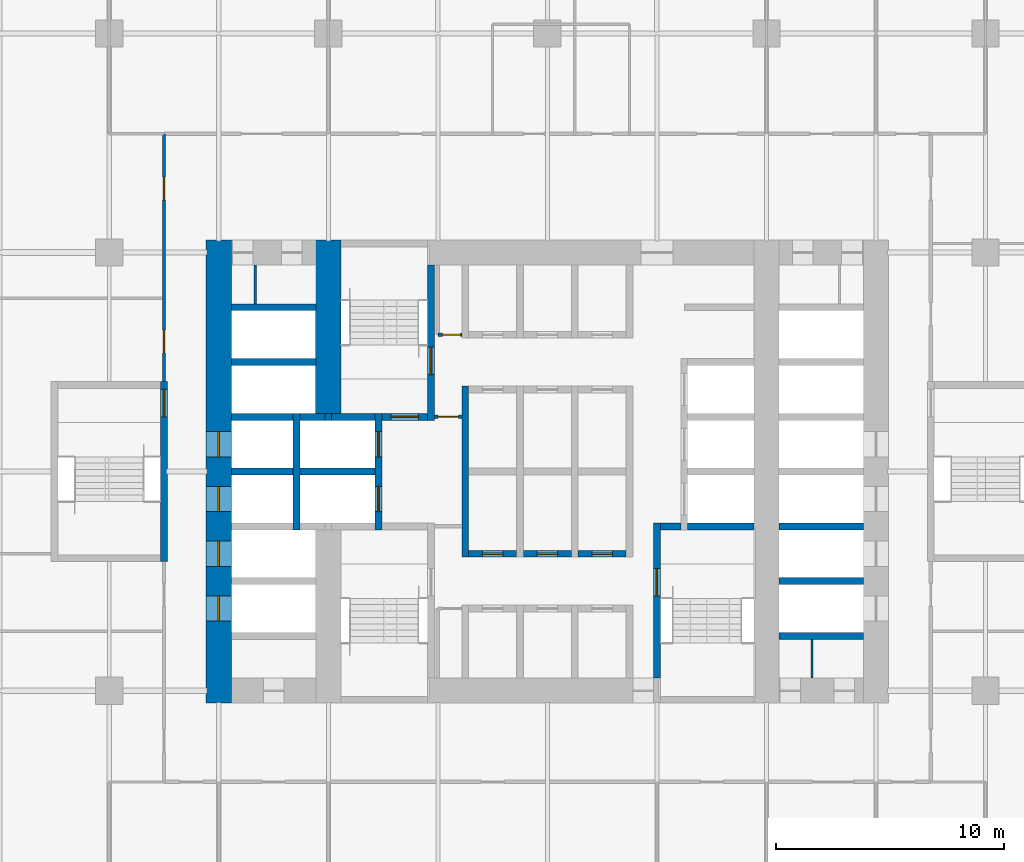
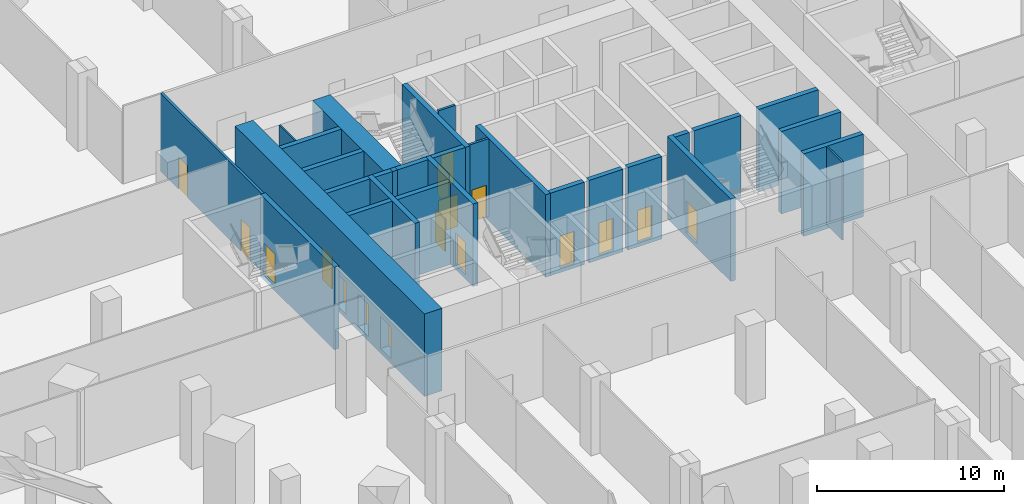
# One storey, part 19 of 34: 30 walls, 17 doors, 17 openings.
"""IFC4 building model written with IfcOpenShell, lengths in metres."""

from ifc_helpers import new_model, si_unit, direction, frame, frame_2d, origin, place, context, subcontext, project, spatial, rectangle, extrude, material, layer, layer_set, type_object, element, fill, save


model = new_model("IFC4")

# Units and contexts
model_context = context("Model", 3, precision=1e-05, world=origin(), true_north=direction((0.0, 1.0)))
body_context = subcontext(model_context, "Body", "Model", "MODEL_VIEW")
ifc_project = project(units=[si_unit("LENGTHUNIT", "METRE"), si_unit("AREAUNIT", "SQUARE_METRE"), si_unit("VOLUMEUNIT", "CUBIC_METRE"), si_unit("PLANEANGLEUNIT", "RADIAN"), si_unit("MASSUNIT", "GRAM", prefix="KILO")], contexts=[model_context])

# Site, building, storey
site_placement = place(None, origin())
site = spatial("IfcSite", under=ifc_project, at=site_placement, CompositionType="ELEMENT")
building_placement = place(site_placement, origin())
building = spatial("IfcBuilding", under=site, at=building_placement, Name="Kolab Exchange Tower", CompositionType="ELEMENT")
storey_placement = place(building_placement, frame((0.0, 0.0, 7.0)))
storey = spatial("IfcBuildingStorey", under=building, at=storey_placement, Name="L01", CompositionType="ELEMENT", Elevation=7.0)

# Wall, openings, doors
ifc_material_1 = material(Name="Concrete C80/95", Category="concrete")
ifc_layer_1 = layer(ifc_material_1, 1.10009765625)
ifc_layer_set_1 = layer_set([ifc_layer_1], Name="Concrete C80/95")
wall_type_1 = type_object("IfcWallType", Name="CORE WALL 1100 C80/95", PredefinedType="SHEAR", material=ifc_layer_set_1)
wall_1_placement = place(storey_placement, frame((-14.39990234375, -10.14990234375, -0.300048828125), z_axis=(0.0, 0.0, 1.0), x_axis=(0.0, 1.0, 0.0)))
wall_1 = element("IfcWall", 1, at=wall_1_placement, inside=storey, type_object=wall_type_1, Name="wall/L01/core/057", PredefinedType="SHEAR", context=body_context, shape_type="SweptSolid", body=[
    extrude(rectangle(XDim=20.2998046875, YDim=1.10009765625, at=frame_2d((10.14990234375, 0.0))), origin(), (0.0, 0.0, 1.0), 5.400146484375),
])
opening_1_placement = place(wall_1_placement, frame((3.60009765625, 0.0, 0.300048828125)))
opening_1 = element("IfcOpeningElement", 2, at=opening_1_placement, cuts=wall_1, Name="Opening LD1-017", PredefinedType="OPENING", context=body_context, shape_type="SweptSolid", body=[
    extrude(rectangle(XDim=1.10009765625, YDim=2.10009765625, at=frame_2d((0.550048828125, 1.050048828125))), frame((0.0, 0.56005859375, 0.0), z_axis=(0.0, -1.0, 0.0), x_axis=(1.0, 0.0, 0.0)), (0.0, 0.0, 1.0), 1.1201171875),
])
opening_2_placement = place(wall_1_placement, frame((6.0, 0.0, 0.300048828125)))
opening_2 = element("IfcOpeningElement", 3, at=opening_2_placement, cuts=wall_1, Name="Opening LD1-018", PredefinedType="OPENING", context=body_context, shape_type="SweptSolid", body=[
    extrude(rectangle(XDim=1.10009765625, YDim=2.10009765625, at=frame_2d((0.550048828125, 1.050048828125))), frame((0.0, 0.56005859375, 0.0), z_axis=(0.0, -1.0, 0.0), x_axis=(1.0, 0.0, 0.0)), (0.0, 0.0, 1.0), 1.1201171875),
])
opening_3_placement = place(wall_1_placement, frame((8.39990234375, 0.0, 0.300048828125)))
opening_3 = element("IfcOpeningElement", 4, at=opening_3_placement, cuts=wall_1, Name="Opening LD1-019", PredefinedType="OPENING", context=body_context, shape_type="SweptSolid", body=[
    extrude(rectangle(XDim=1.10009765625, YDim=2.10009765625, at=frame_2d((0.550048828125, 1.050048828125))), frame((0.0, 0.56005859375, 0.0), z_axis=(0.0, -1.0, 0.0), x_axis=(1.0, 0.0, 0.0)), (0.0, 0.0, 1.0), 1.1201171875),
])
opening_4_placement = place(wall_1_placement, frame((10.800048828125, 0.0, 0.300048828125)))
opening_4 = element("IfcOpeningElement", 5, at=opening_4_placement, cuts=wall_1, Name="Opening LD1-020", PredefinedType="OPENING", context=body_context, shape_type="SweptSolid", body=[
    extrude(rectangle(XDim=1.10009765625, YDim=2.10009765625, at=frame_2d((0.550048828125, 1.050048828125))), frame((0.0, 0.56005859375, 0.0), z_axis=(0.0, -1.0, 0.0), x_axis=(1.0, 0.0, 0.0)), (0.0, 0.0, 1.0), 1.1201171875),
])
ifc_material_2 = material(Name="Stainless steel 316", Category="steel")
door_type_1 = type_object("IfcDoorType", Name="LANDING DOOR 1100 PASSENGER", OperationType="DOUBLE_DOOR_SLIDING", PredefinedType="DOOR", material=ifc_material_2)
door_1_placement = place(opening_1_placement, origin())
door_1 = element("IfcDoor", 6, at=door_1_placement, inside=storey, type_object=door_type_1, Name="Landing door LR5", OperationType="DOUBLE_DOOR_SLIDING", OverallHeight=2.10009765625, OverallWidth=1.10009765625, PredefinedType="DOOR", context=body_context, shape_type="SweptSolid", body=[
    extrude(rectangle(XDim=1.10009765625, YDim=2.10009765625, at=frame_2d((0.550048828125, 1.050048828125))), frame((0.0, 0.02490234375, 0.0), z_axis=(0.0, -1.0, 0.0), x_axis=(1.0, 0.0, 0.0)), (0.0, 0.0, 1.0), 0.050048828125),
])
fill(opening_1, door_1)
door_2_placement = place(opening_2_placement, origin())
door_2 = element("IfcDoor", 7, at=door_2_placement, inside=storey, type_object=door_type_1, Name="Landing door LR6", OperationType="DOUBLE_DOOR_SLIDING", OverallHeight=2.10009765625, OverallWidth=1.10009765625, PredefinedType="DOOR", context=body_context, shape_type="SweptSolid", body=[
    extrude(rectangle(XDim=1.10009765625, YDim=2.10009765625, at=frame_2d((0.550048828125, 1.050048828125))), frame((0.0, 0.02490234375, 0.0), z_axis=(0.0, -1.0, 0.0), x_axis=(1.0, 0.0, 0.0)), (0.0, 0.0, 1.0), 0.050048828125),
])
fill(opening_2, door_2)
door_3_placement = place(opening_3_placement, origin())
door_3 = element("IfcDoor", 8, at=door_3_placement, inside=storey, type_object=door_type_1, Name="Landing door LR7", OperationType="DOUBLE_DOOR_SLIDING", OverallHeight=2.10009765625, OverallWidth=1.10009765625, PredefinedType="DOOR", context=body_context, shape_type="SweptSolid", body=[
    extrude(rectangle(XDim=1.10009765625, YDim=2.10009765625, at=frame_2d((0.550048828125, 1.050048828125))), frame((0.0, 0.02490234375, 0.0), z_axis=(0.0, -1.0, 0.0), x_axis=(1.0, 0.0, 0.0)), (0.0, 0.0, 1.0), 0.050048828125),
])
fill(opening_3, door_3)
door_4_placement = place(opening_4_placement, origin())
door_4 = element("IfcDoor", 9, at=door_4_placement, inside=storey, type_object=door_type_1, Name="Landing door LR8", OperationType="DOUBLE_DOOR_SLIDING", OverallHeight=2.10009765625, OverallWidth=1.10009765625, PredefinedType="DOOR", context=body_context, shape_type="SweptSolid", body=[
    extrude(rectangle(XDim=1.10009765625, YDim=2.10009765625, at=frame_2d((0.550048828125, 1.050048828125))), frame((0.0, 0.02490234375, 0.0), z_axis=(0.0, -1.0, 0.0), x_axis=(1.0, 0.0, 0.0)), (0.0, 0.0, 1.0), 0.050048828125),
])
fill(opening_4, door_4)

# Walls
wall_2_placement = place(storey_placement, frame((-9.60009765625, 2.550048828125, -0.300048828125), z_axis=(0.0, 0.0, 1.0), x_axis=(0.0, 1.0, 0.0)))
element("IfcWall", 10, at=wall_2_placement, inside=storey, type_object=wall_type_1, Name="wall/L01/core/062", PredefinedType="SHEAR", context=body_context, shape_type="SweptSolid", body=[
    extrude(rectangle(XDim=7.599853515625, YDim=1.10009765625, at=frame_2d((3.7998046875, 0.0))), origin(), (0.0, 0.0, 1.0), 5.400146484375),
])
ifc_material_3 = material(Name="Concrete C50/60", Category="concrete")
ifc_layer_2 = layer(ifc_material_3, 0.300048828125)
ifc_layer_set_2 = layer_set([ifc_layer_2], Name="Concrete C50/60")
wall_type_2 = type_object("IfcWallType", Name="LIFT SHAFT WALL 300 C50/60", PredefinedType="STANDARD", material=ifc_layer_set_2)
for number, where, z_axis, x_axis, name in (
    (11, (10.14990234375, -7.199951171875, -0.300048828125), (0.0, 0.0, 1.0), (1.0, 0.0, 0.0), "wall/L01/core/006"),
    (12, (10.14990234375, -4.800048828125, -0.300048828125), (0.0, 0.0, 1.0), (1.0, 0.0, 0.0), "wall/L01/core/011"),
):
    element("IfcWall", number, at=place(storey_placement, frame(where, z_axis=z_axis, x_axis=x_axis)), inside=storey, type_object=wall_type_2, Name=name, PredefinedType="STANDARD", context=body_context, shape_type="SweptSolid", body=[
        extrude(rectangle(XDim=3.7001953125, YDim=0.300048828125, at=frame_2d((1.85009765625, 0.0))), origin(), (0.0, 0.0, 1.0), 5.400146484375),
    ])

# Wall, opening, door
wall_3_placement = place(storey_placement, frame((-3.449951171875, -3.60009765625, -0.300048828125), z_axis=(0.0, 0.0, 1.0), x_axis=(1.0, 0.0, 0.0)))
wall_3 = element("IfcWall", 13, at=wall_3_placement, inside=storey, type_object=wall_type_2, Name="wall/L01/core/014", PredefinedType="STANDARD", context=body_context, shape_type="SweptSolid", body=[
    extrude(rectangle(XDim=2.099853515625, YDim=0.300048828125, at=frame_2d((1.0498046875, 0.0))), origin(), (0.0, 0.0, 1.0), 5.400146484375),
])
opening_5_placement = place(wall_3_placement, frame((0.60009765625, 0.0, 0.300048828125)))
opening_5 = element("IfcOpeningElement", 14, at=opening_5_placement, cuts=wall_3, Name="Opening D6-030", PredefinedType="OPENING", context=body_context, shape_type="SweptSolid", body=[
    extrude(rectangle(XDim=0.89990234375, YDim=2.10009765625, at=frame_2d((0.449951171875, 1.050048828125))), frame((0.0, 0.16015625, 0.0), z_axis=(0.0, -1.0, 0.0), x_axis=(1.0, 0.0, 0.0)), (0.0, 0.0, 1.0), 0.320068359375),
])
ifc_material_4 = material(Name="Steel S235", Category="steel")
door_type_2 = type_object("IfcDoorType", Name="CORE DOOR 900 EI 120", OperationType="SINGLE_SWING_LEFT", PredefinedType="DOOR", material=ifc_material_4)
door_5_placement = place(opening_5_placement, origin())
door_5 = element("IfcDoor", 15, at=door_5_placement, inside=storey, type_object=door_type_2, Name="Service room door", OperationType="SINGLE_SWING_LEFT", OverallHeight=2.10009765625, OverallWidth=0.89990234375, PredefinedType="DOOR", context=body_context, shape_type="SweptSolid", body=[
    extrude(rectangle(XDim=0.89990234375, YDim=2.10009765625, at=frame_2d((0.449951171875, 1.050048828125))), frame((0.0, 0.02490234375, 0.0), z_axis=(0.0, -1.0, 0.0), x_axis=(1.0, 0.0, 0.0)), (0.0, 0.0, 1.0), 0.050048828125),
])
fill(opening_5, door_5)

wall_4_placement = place(storey_placement, frame((-1.050048828125, -3.60009765625, -0.300048828125), z_axis=(0.0, 0.0, 1.0), x_axis=(1.0, 0.0, 0.0)))
wall_4 = element("IfcWall", 16, at=wall_4_placement, inside=storey, type_object=wall_type_2, Name="wall/L01/core/015", PredefinedType="STANDARD", context=body_context, shape_type="SweptSolid", body=[
    extrude(rectangle(XDim=2.10009765625, YDim=0.300048828125, at=frame_2d((1.050048828125, 0.0))), origin(), (0.0, 0.0, 1.0), 5.400146484375),
])
opening_6_placement = place(wall_4_placement, frame((0.60009765625, 0.0, 0.300048828125)))
opening_6 = element("IfcOpeningElement", 17, at=opening_6_placement, cuts=wall_4, Name="Opening D6-029", PredefinedType="OPENING", context=body_context, shape_type="SweptSolid", body=[
    extrude(rectangle(XDim=0.89990234375, YDim=2.10009765625, at=frame_2d((0.449951171875, 1.050048828125))), frame((0.0, 0.16015625, 0.0), z_axis=(0.0, -1.0, 0.0), x_axis=(1.0, 0.0, 0.0)), (0.0, 0.0, 1.0), 0.320068359375),
])
door_6_placement = place(opening_6_placement, origin())
door_6 = element("IfcDoor", 18, at=door_6_placement, inside=storey, type_object=door_type_2, Name="Service room door", OperationType="SINGLE_SWING_LEFT", OverallHeight=2.10009765625, OverallWidth=0.89990234375, PredefinedType="DOOR", context=body_context, shape_type="SweptSolid", body=[
    extrude(rectangle(XDim=0.89990234375, YDim=2.10009765625, at=frame_2d((0.449951171875, 1.050048828125))), frame((0.0, 0.02490234375, 0.0), z_axis=(0.0, -1.0, 0.0), x_axis=(1.0, 0.0, 0.0)), (0.0, 0.0, 1.0), 0.050048828125),
])
fill(opening_6, door_6)

wall_5_placement = place(storey_placement, frame((1.35009765625, -3.60009765625, -0.300048828125), z_axis=(0.0, 0.0, 1.0), x_axis=(1.0, 0.0, 0.0)))
wall_5 = element("IfcWall", 19, at=wall_5_placement, inside=storey, type_object=wall_type_2, Name="wall/L01/core/016", PredefinedType="STANDARD", context=body_context, shape_type="SweptSolid", body=[
    extrude(rectangle(XDim=2.099853515625, YDim=0.300048828125, at=frame_2d((1.0498046875, 0.0))), origin(), (0.0, 0.0, 1.0), 5.400146484375),
])
opening_7_placement = place(wall_5_placement, frame((0.60009765625, 0.0, 0.300048828125)))
opening_7 = element("IfcOpeningElement", 20, at=opening_7_placement, cuts=wall_5, Name="Opening D6-028", PredefinedType="OPENING", context=body_context, shape_type="SweptSolid", body=[
    extrude(rectangle(XDim=0.89990234375, YDim=2.10009765625, at=frame_2d((0.449951171875, 1.050048828125))), frame((0.0, 0.16015625, 0.0), z_axis=(0.0, -1.0, 0.0), x_axis=(1.0, 0.0, 0.0)), (0.0, 0.0, 1.0), 0.320068359375),
])
door_7_placement = place(opening_7_placement, origin())
door_7 = element("IfcDoor", 21, at=door_7_placement, inside=storey, type_object=door_type_2, Name="Service room door", OperationType="SINGLE_SWING_RIGHT", OverallHeight=2.10009765625, OverallWidth=0.89990234375, PredefinedType="DOOR", context=body_context, shape_type="SweptSolid", body=[
    extrude(rectangle(XDim=0.89990234375, YDim=2.10009765625, at=frame_2d((0.449951171875, 1.050048828125))), frame((0.0, 0.02490234375, 0.0), z_axis=(0.0, -1.0, 0.0), x_axis=(1.0, 0.0, 0.0)), (0.0, 0.0, 1.0), 0.050048828125),
])
fill(opening_7, door_7)

# Walls
wall_6_placement = place(storey_placement, frame((10.14990234375, -2.39990234375, -0.300048828125), z_axis=(0.0, 0.0, 1.0), x_axis=(1.0, 0.0, 0.0)))
element("IfcWall", 22, at=wall_6_placement, inside=storey, type_object=wall_type_2, Name="wall/L01/core/023", PredefinedType="STANDARD", context=body_context, shape_type="SweptSolid", body=[
    extrude(rectangle(XDim=3.7001953125, YDim=0.300048828125, at=frame_2d((1.85009765625, 0.0))), origin(), (0.0, 0.0, 1.0), 5.400146484375),
])
wall_7_placement = place(storey_placement, frame((-13.85009765625, 0.0, -0.300048828125), z_axis=(0.0, 0.0, 1.0), x_axis=(1.0, 0.0, 0.0)))
element("IfcWall", 23, at=wall_7_placement, inside=storey, type_object=wall_type_2, Name="wall/L01/core/024", PredefinedType="STANDARD", context=body_context, shape_type="SweptSolid", body=[
    extrude(rectangle(XDim=2.7001953125, YDim=0.300048828125, at=frame_2d((1.35009765625, 0.0))), origin(), (0.0, 0.0, 1.0), 5.400146484375),
])
wall_8_placement = place(storey_placement, frame((-10.85009765625, 0.0, -0.300048828125), z_axis=(0.0, 0.0, 1.0), x_axis=(1.0, 0.0, 0.0)))
element("IfcWall", 24, at=wall_8_placement, inside=storey, type_object=wall_type_2, Name="wall/L01/core/025", PredefinedType="STANDARD", context=body_context, shape_type="SweptSolid", body=[
    extrude(rectangle(XDim=3.300048828125, YDim=0.300048828125, at=frame_2d((1.64990234375, 0.0))), origin(), (0.0, 0.0, 1.0), 5.400146484375),
])
wall_9_placement = place(storey_placement, frame((-13.85009765625, 2.39990234375, -0.300048828125), z_axis=(0.0, 0.0, 1.0), x_axis=(1.0, 0.0, 0.0)))
element("IfcWall", 25, at=wall_9_placement, inside=storey, type_object=wall_type_2, Name="wall/L01/core/031", PredefinedType="STANDARD", context=body_context, shape_type="SweptSolid", body=[
    extrude(rectangle(XDim=2.7001953125, YDim=0.300048828125, at=frame_2d((1.35009765625, 0.0))), origin(), (0.0, 0.0, 1.0), 5.400146484375),
])
wall_10_placement = place(storey_placement, frame((-10.85009765625, 2.39990234375, -0.300048828125), z_axis=(0.0, 0.0, 1.0), x_axis=(1.0, 0.0, 0.0)))
element("IfcWall", 26, at=wall_10_placement, inside=storey, type_object=wall_type_2, Name="wall/L01/core/032", PredefinedType="STANDARD", context=body_context, shape_type="SweptSolid", body=[
    extrude(rectangle(XDim=1.10009765625, YDim=0.300048828125, at=frame_2d((0.550048828125, 0.0))), origin(), (0.0, 0.0, 1.0), 5.400146484375),
])
for number, where, z_axis, x_axis, name in (
    (27, (-13.85009765625, 4.800048828125, -0.300048828125), (0.0, 0.0, 1.0), (1.0, 0.0, 0.0), "wall/L01/core/042"),
    (28, (-13.85009765625, 7.199951171875, -0.300048828125), (0.0, 0.0, 1.0), (1.0, 0.0, 0.0), "wall/L01/core/048"),
):
    element("IfcWall", number, at=place(storey_placement, frame(where, z_axis=z_axis, x_axis=x_axis)), inside=storey, type_object=wall_type_2, Name=name, PredefinedType="STANDARD", context=body_context, shape_type="SweptSolid", body=[
        extrude(rectangle(XDim=3.7001953125, YDim=0.300048828125, at=frame_2d((1.85009765625, 0.0))), origin(), (0.0, 0.0, 1.0), 5.400146484375),
    ])
wall_11_placement = place(storey_placement, frame((-11.0, -2.550048828125, -0.300048828125), z_axis=(0.0, 0.0, 1.0), x_axis=(0.0, 1.0, 0.0)))
element("IfcWall", 29, at=wall_11_placement, inside=storey, type_object=wall_type_2, Name="wall/L01/core/058", PredefinedType="STANDARD", context=body_context, shape_type="SweptSolid", body=[
    extrude(rectangle(XDim=5.10009765625, YDim=0.300048828125, at=frame_2d((2.550048828125, 0.0))), origin(), (0.0, 0.0, 1.0), 5.400146484375),
])

# Wall, openings, doors
wall_12_placement = place(storey_placement, frame((-7.39990234375, -2.550048828125, -0.300048828125), z_axis=(0.0, 0.0, 1.0), x_axis=(0.0, 1.0, 0.0)))
wall_12 = element("IfcWall", 30, at=wall_12_placement, inside=storey, type_object=wall_type_2, Name="wall/L01/core/063", PredefinedType="STANDARD", context=body_context, shape_type="SweptSolid", body=[
    extrude(rectangle(XDim=5.10009765625, YDim=0.300048828125, at=frame_2d((2.550048828125, 0.0))), origin(), (0.0, 0.0, 1.0), 5.400146484375),
])
opening_8_placement = place(wall_12_placement, frame((0.800048828125, 0.0, 0.300048828125)))
opening_8 = element("IfcOpeningElement", 31, at=opening_8_placement, cuts=wall_12, Name="Opening LD2-003", PredefinedType="OPENING", context=body_context, shape_type="SweptSolid", body=[
    extrude(rectangle(XDim=1.10009765625, YDim=2.10009765625, at=frame_2d((0.550048828125, 1.050048828125))), frame((0.0, 0.16015625, 0.0), z_axis=(0.0, -1.0, 0.0), x_axis=(1.0, 0.0, 0.0)), (0.0, 0.0, 1.0), 0.320068359375),
])
opening_9_placement = place(wall_12_placement, frame((3.199951171875, 0.0, 0.300048828125)))
opening_9 = element("IfcOpeningElement", 32, at=opening_9_placement, cuts=wall_12, Name="Opening LD2-004", PredefinedType="OPENING", context=body_context, shape_type="SweptSolid", body=[
    extrude(rectangle(XDim=1.10009765625, YDim=2.10009765625, at=frame_2d((0.550048828125, 1.050048828125))), frame((0.0, 0.16015625, 0.0), z_axis=(0.0, -1.0, 0.0), x_axis=(1.0, 0.0, 0.0)), (0.0, 0.0, 1.0), 0.320068359375),
])
door_type_3 = type_object("IfcDoorType", Name="LANDING DOOR 1100 FIREFIGHTING", OperationType="DOUBLE_DOOR_SLIDING", PredefinedType="DOOR", material=ifc_material_2)
door_8_placement = place(opening_8_placement, origin())
door_8 = element("IfcDoor", 33, at=door_8_placement, inside=storey, type_object=door_type_3, Name="Landing door FF1", OperationType="DOUBLE_DOOR_SLIDING", OverallHeight=2.10009765625, OverallWidth=1.10009765625, PredefinedType="DOOR", context=body_context, shape_type="SweptSolid", body=[
    extrude(rectangle(XDim=1.10009765625, YDim=2.10009765625, at=frame_2d((0.550048828125, 1.050048828125))), frame((0.0, 0.02490234375, 0.0), z_axis=(0.0, -1.0, 0.0), x_axis=(1.0, 0.0, 0.0)), (0.0, 0.0, 1.0), 0.050048828125),
])
fill(opening_8, door_8)
door_9_placement = place(opening_9_placement, origin())
door_9 = element("IfcDoor", 34, at=door_9_placement, inside=storey, type_object=door_type_3, Name="Landing door FF2", OperationType="DOUBLE_DOOR_SLIDING", OverallHeight=2.10009765625, OverallWidth=1.10009765625, PredefinedType="DOOR", context=body_context, shape_type="SweptSolid", body=[
    extrude(rectangle(XDim=1.10009765625, YDim=2.10009765625, at=frame_2d((0.550048828125, 1.050048828125))), frame((0.0, 0.02490234375, 0.0), z_axis=(0.0, -1.0, 0.0), x_axis=(1.0, 0.0, 0.0)), (0.0, 0.0, 1.0), 0.050048828125),
])
fill(opening_9, door_9)

# Walls
wall_13_placement = place(storey_placement, frame((-3.60009765625, -3.75, -0.300048828125), z_axis=(0.0, 0.0, 1.0), x_axis=(0.0, 1.0, 0.0)))
element("IfcWall", 35, at=wall_13_placement, inside=storey, type_object=wall_type_2, Name="wall/L01/core/067", PredefinedType="STANDARD", context=body_context, shape_type="SweptSolid", body=[
    extrude(rectangle(XDim=7.5, YDim=0.300048828125, at=frame_2d((3.75, 0.0))), origin(), (0.0, 0.0, 1.0), 5.400146484375),
])
ifc_material_5 = material(Name="Gypsum board", Category="gypsum")
ifc_layer_3 = layer(ifc_material_5, 0.10009765625)
ifc_layer_set_3 = layer_set([ifc_layer_3], Name="Gypsum board")
wall_type_3 = type_object("IfcWallType", Name="PARTITION 100", PredefinedType="PARTITIONING", material=ifc_layer_set_3)
for number, where, z_axis, x_axis, name in (
    (36, (11.60009765625, -9.050048828125, 0.0), (0.0, 0.0, 1.0), (0.0, 1.0, 0.0), "Partition 007"),
    (37, (-12.800048828125, 7.35009765625, 0.0), (0.0, 0.0, 1.0), (0.0, 1.0, 0.0), "Partition 018"),
):
    element("IfcWall", number, at=place(storey_placement, frame(where, z_axis=z_axis, x_axis=x_axis)), inside=storey, type_object=wall_type_3, Name=name, PredefinedType="PARTITIONING", context=body_context, shape_type="SweptSolid", body=[
        extrude(rectangle(XDim=1.699951171875, YDim=0.10009765625, at=frame_2d((0.85009765625, 0.0))), origin(), (0.0, 0.0, 1.0), 5.10009765625),
    ])

# Wall, openings, doors
ifc_layer_4 = layer(ifc_material_5, 0.14990234375)
ifc_layer_set_4 = layer_set([ifc_layer_4], Name="Gypsum board")
wall_type_4 = type_object("IfcWallType", Name="PARTITION 150 FIRE-RATED", PredefinedType="PARTITIONING", material=ifc_layer_set_4)
wall_14_placement = place(storey_placement, frame((-16.800048828125, 3.949951171875, 0.0), z_axis=(0.0, 0.0, 1.0), x_axis=(0.0, 1.0, 0.0)))
wall_14 = element("IfcWall", 38, at=wall_14_placement, inside=storey, type_object=wall_type_4, Name="Partition 021", PredefinedType="PARTITIONING", context=body_context, shape_type="SweptSolid", body=[
    extrude(rectangle(XDim=10.85009765625, YDim=0.14990234375, at=frame_2d((5.425048828125, 0.0))), origin(), (0.0, 0.0, 1.0), 5.10009765625),
])
opening_10_placement = place(wall_14_placement, frame((1.25, 0.0, 0.0)))
opening_10 = element("IfcOpeningElement", 39, at=opening_10_placement, cuts=wall_14, Name="Opening D1-027", PredefinedType="OPENING", context=body_context, shape_type="SweptSolid", body=[
    extrude(rectangle(XDim=1.0, YDim=2.10009765625, at=frame_2d((0.5, 1.050048828125))), frame((0.0, 0.0849609375, 0.0), z_axis=(0.0, -1.0, 0.0), x_axis=(1.0, 0.0, 0.0)), (0.0, 0.0, 1.0), 0.169921875),
])
opening_11_placement = place(wall_14_placement, frame((7.949951171875, 0.0, 0.0)))
opening_11 = element("IfcOpeningElement", 40, at=opening_11_placement, cuts=wall_14, Name="Opening D1-028", PredefinedType="OPENING", context=body_context, shape_type="SweptSolid", body=[
    extrude(rectangle(XDim=1.0, YDim=2.10009765625, at=frame_2d((0.5, 1.050048828125))), frame((0.0, 0.0849609375, 0.0), z_axis=(0.0, -1.0, 0.0), x_axis=(1.0, 0.0, 0.0)), (0.0, 0.0, 1.0), 0.169921875),
])
door_type_4 = type_object("IfcDoorType", Name="FLUSH DOOR 1000 FD60", OperationType="SINGLE_SWING_LEFT", PredefinedType="DOOR", material=ifc_material_4)
door_10_placement = place(opening_10_placement, origin())
door_10 = element("IfcDoor", 41, at=door_10_placement, inside=storey, type_object=door_type_4, Name="Door L01-067", OperationType="SINGLE_SWING_RIGHT", OverallHeight=2.10009765625, OverallWidth=1.0, PredefinedType="DOOR", context=body_context, shape_type="SweptSolid", body=[
    extrude(rectangle(XDim=1.0, YDim=2.10009765625, at=frame_2d((0.5, 1.050048828125))), frame((0.0, 0.02490234375, 0.0), z_axis=(0.0, -1.0, 0.0), x_axis=(1.0, 0.0, 0.0)), (0.0, 0.0, 1.0), 0.050048828125),
])
fill(opening_10, door_10)
door_11_placement = place(opening_11_placement, origin())
door_11 = element("IfcDoor", 42, at=door_11_placement, inside=storey, type_object=door_type_4, Name="Door L01-068", OperationType="SINGLE_SWING_RIGHT", OverallHeight=2.10009765625, OverallWidth=1.0, PredefinedType="DOOR", context=body_context, shape_type="SweptSolid", body=[
    extrude(rectangle(XDim=1.0, YDim=2.10009765625, at=frame_2d((0.5, 1.050048828125))), frame((0.0, 0.02490234375, 0.0), z_axis=(0.0, -1.0, 0.0), x_axis=(1.0, 0.0, 0.0)), (0.0, 0.0, 1.0), 0.050048828125),
])
fill(opening_11, door_11)

# Wall, opening, door
wall_15_placement = place(storey_placement, frame((-4.800048828125, 6.0, 0.0), z_axis=(0.0, 0.0, 1.0), x_axis=(1.0, 0.0, 0.0)))
wall_15 = element("IfcWall", 43, at=wall_15_placement, inside=storey, type_object=wall_type_4, Name="Partition 033", PredefinedType="PARTITIONING", context=body_context, shape_type="SweptSolid", body=[
    extrude(rectangle(XDim=1.050048828125, YDim=0.14990234375, at=frame_2d((0.52490234375, 0.0))), origin(), (0.0, 0.0, 1.0), 5.10009765625),
])
opening_12_placement = place(wall_15_placement, frame((0.199951171875, 0.0, 0.0)))
opening_12 = element("IfcOpeningElement", 44, at=opening_12_placement, cuts=wall_15, Name="Opening D7-003", PredefinedType="OPENING", context=body_context, shape_type="SweptSolid", body=[
    extrude(rectangle(XDim=0.800048828125, YDim=2.10009765625, at=frame_2d((0.39990234375, 1.050048828125))), frame((0.0, 0.0849609375, 0.0), z_axis=(0.0, -1.0, 0.0), x_axis=(1.0, 0.0, 0.0)), (0.0, 0.0, 1.0), 0.169921875),
])
door_type_5 = type_object("IfcDoorType", Name="FLUSH DOOR 800 FD60", OperationType="SINGLE_SWING_LEFT", PredefinedType="DOOR", material=ifc_material_4)
door_12_placement = place(opening_12_placement, origin())
door_12 = element("IfcDoor", 45, at=door_12_placement, inside=storey, type_object=door_type_5, Name="Door L01-040", OperationType="SINGLE_SWING_RIGHT", OverallHeight=2.10009765625, OverallWidth=0.800048828125, PredefinedType="DOOR", context=body_context, shape_type="SweptSolid", body=[
    extrude(rectangle(XDim=0.800048828125, YDim=2.10009765625, at=frame_2d((0.39990234375, 1.050048828125))), frame((0.0, 0.02490234375, 0.0), z_axis=(0.0, -1.0, 0.0), x_axis=(1.0, 0.0, 0.0)), (0.0, 0.0, 1.0), 0.050048828125),
])
fill(opening_12, door_12)

wall_16_placement = place(storey_placement, frame((-4.949951171875, 2.39990234375, 0.0), z_axis=(0.0, 0.0, 1.0), x_axis=(1.0, 0.0, 0.0)))
wall_16 = element("IfcWall", 46, at=wall_16_placement, inside=storey, type_object=wall_type_4, Name="Fire partition", PredefinedType="PARTITIONING", context=body_context, shape_type="SweptSolid", body=[
    extrude(rectangle(XDim=1.199951171875, YDim=0.14990234375, at=frame_2d((0.60009765625, 0.0))), origin(), (0.0, 0.0, 1.0), 5.10009765625),
])
opening_13_placement = place(wall_16_placement, frame((0.14990234375, 0.0, 0.0)))
opening_13 = element("IfcOpeningElement", 47, at=opening_13_placement, cuts=wall_16, Name="Opening D6-035", PredefinedType="OPENING", context=body_context, shape_type="SweptSolid", body=[
    extrude(rectangle(XDim=0.89990234375, YDim=2.10009765625, at=frame_2d((0.449951171875, 1.050048828125))), frame((0.0, 0.0849609375, 0.0), z_axis=(0.0, -1.0, 0.0), x_axis=(1.0, 0.0, 0.0)), (0.0, 0.0, 1.0), 0.169921875),
])
door_13_placement = place(opening_13_placement, frame((0.89990234375, 0.0, 0.0), z_axis=(0.0, 0.0, 1.0), x_axis=(-1.0, 0.0, 0.0)))
door_13 = element("IfcDoor", 48, at=door_13_placement, inside=storey, type_object=door_type_2, Name="Firefighting lobby door", OperationType="SINGLE_SWING_RIGHT", OverallHeight=2.10009765625, OverallWidth=0.89990234375, PredefinedType="DOOR", context=body_context, shape_type="SweptSolid", body=[
    extrude(rectangle(XDim=0.89990234375, YDim=2.10009765625, at=frame_2d((0.449951171875, 1.050048828125))), frame((0.0, 0.02490234375, 0.0), z_axis=(0.0, -1.0, 0.0), x_axis=(1.0, 0.0, 0.0)), (0.0, 0.0, 1.0), 0.050048828125),
])
fill(opening_13, door_13)

# Walls
ifc_layer_5 = layer(ifc_material_3, 0.300048828125)
ifc_layer_set_5 = layer_set([ifc_layer_5], Name="Concrete C50/60")
wall_type_5 = type_object("IfcWallType", Name="STAIR ENCLOSURE WALL 300 C50/60", PredefinedType="STANDARD", material=ifc_layer_set_5)
wall_17_placement = place(storey_placement, frame((4.949951171875, -2.39990234375, -0.300048828125), z_axis=(0.0, 0.0, 1.0), x_axis=(1.0, 0.0, 0.0)))
element("IfcWall", 49, at=wall_17_placement, inside=storey, type_object=wall_type_5, Name="wall/L01/core/021", PredefinedType="STANDARD", context=body_context, shape_type="SweptSolid", body=[
    extrude(rectangle(XDim=0.900146484375, YDim=0.300048828125, at=frame_2d((0.4501953125, 0.0))), origin(), (0.0, 0.0, 1.0), 5.400146484375),
])
wall_18_placement = place(storey_placement, frame((6.14990234375, -2.39990234375, -0.300048828125), z_axis=(0.0, 0.0, 1.0), x_axis=(1.0, 0.0, 0.0)))
element("IfcWall", 50, at=wall_18_placement, inside=storey, type_object=wall_type_5, Name="wall/L01/core/022", PredefinedType="STANDARD", context=body_context, shape_type="SweptSolid", body=[
    extrude(rectangle(XDim=2.900146484375, YDim=0.300048828125, at=frame_2d((1.4501953125, 0.0))), origin(), (0.0, 0.0, 1.0), 5.400146484375),
])
wall_19_placement = place(storey_placement, frame((-9.449951171875, 2.39990234375, -0.300048828125), z_axis=(0.0, 0.0, 1.0), x_axis=(1.0, 0.0, 0.0)))
element("IfcWall", 51, at=wall_19_placement, inside=storey, type_object=wall_type_5, Name="wall/L01/core/033", PredefinedType="STANDARD", context=body_context, shape_type="SweptSolid", body=[
    extrude(rectangle(XDim=1.89990234375, YDim=0.300048828125, at=frame_2d((0.949951171875, 0.0))), origin(), (0.0, 0.0, 1.0), 5.400146484375),
])

# Wall, opening, door
wall_20_placement = place(storey_placement, frame((-7.25, 2.39990234375, -0.300048828125), z_axis=(0.0, 0.0, 1.0), x_axis=(1.0, 0.0, 0.0)))
wall_20 = element("IfcWall", 52, at=wall_20_placement, inside=storey, type_object=wall_type_5, Name="wall/L01/core/034", PredefinedType="STANDARD", context=body_context, shape_type="SweptSolid", body=[
    extrude(rectangle(XDim=2.0, YDim=0.300048828125, at=frame_2d((1.0, 0.0))), origin(), (0.0, 0.0, 1.0), 5.400146484375),
])
opening_14_placement = place(wall_20_placement, frame((0.39990234375, 0.0, 0.300048828125)))
opening_14 = element("IfcOpeningElement", 53, at=opening_14_placement, cuts=wall_20, Name="Opening D4-007", PredefinedType="OPENING", context=body_context, shape_type="SweptSolid", body=[
    extrude(rectangle(XDim=1.199951171875, YDim=2.10009765625, at=frame_2d((0.60009765625, 1.050048828125))), frame((0.0, 0.16015625, 0.0), z_axis=(0.0, -1.0, 0.0), x_axis=(1.0, 0.0, 0.0)), (0.0, 0.0, 1.0), 0.320068359375),
])
door_type_6 = type_object("IfcDoorType", Name="STAIR DOOR 1200 EI 120", OperationType="SINGLE_SWING_LEFT", PredefinedType="DOOR", material=ifc_material_4)
door_14_placement = place(opening_14_placement, origin())
door_14 = element("IfcDoor", 54, at=door_14_placement, inside=storey, type_object=door_type_6, Name="Stair 1 door", OperationType="SINGLE_SWING_RIGHT", OverallHeight=2.10009765625, OverallWidth=1.199951171875, PredefinedType="DOOR", context=body_context, shape_type="SweptSolid", body=[
    extrude(rectangle(XDim=1.199951171875, YDim=2.10009765625, at=frame_2d((0.60009765625, 1.050048828125))), frame((0.0, 0.02490234375, 0.0), z_axis=(0.0, -1.0, 0.0), x_axis=(1.0, 0.0, 0.0)), (0.0, 0.0, 1.0), 0.050048828125),
])
fill(opening_14, door_14)

wall_21_placement = place(storey_placement, frame((-16.800048828125, -3.949951171875, -0.300048828125), z_axis=(0.0, 0.0, 1.0), x_axis=(0.0, 1.0, 0.0)))
wall_21 = element("IfcWall", 55, at=wall_21_placement, inside=storey, type_object=wall_type_5, Name="wall/L01/core/056", PredefinedType="STANDARD", context=body_context, shape_type="SweptSolid", body=[
    extrude(rectangle(XDim=7.89990234375, YDim=0.300048828125, at=frame_2d((3.949951171875, 0.0))), origin(), (0.0, 0.0, 1.0), 5.400146484375),
])
opening_15_placement = place(wall_21_placement, frame((6.35009765625, 0.0, 0.300048828125)))
opening_15 = element("IfcOpeningElement", 56, at=opening_15_placement, cuts=wall_21, Name="Opening D4-012", PredefinedType="OPENING", context=body_context, shape_type="SweptSolid", body=[
    extrude(rectangle(XDim=1.199951171875, YDim=2.10009765625, at=frame_2d((0.60009765625, 1.050048828125))), frame((0.0, 0.16015625, 0.0), z_axis=(0.0, -1.0, 0.0), x_axis=(1.0, 0.0, 0.0)), (0.0, 0.0, 1.0), 0.320068359375),
])
door_15_placement = place(opening_15_placement, origin())
door_15 = element("IfcDoor", 57, at=door_15_placement, inside=storey, type_object=door_type_6, Name="Stair 5 door", OperationType="SINGLE_SWING_RIGHT", OverallHeight=2.10009765625, OverallWidth=1.199951171875, PredefinedType="DOOR", context=body_context, shape_type="SweptSolid", body=[
    extrude(rectangle(XDim=1.199951171875, YDim=2.10009765625, at=frame_2d((0.60009765625, 1.050048828125))), frame((0.0, 0.02490234375, 0.0), z_axis=(0.0, -1.0, 0.0), x_axis=(1.0, 0.0, 0.0)), (0.0, 0.0, 1.0), 0.050048828125),
])
fill(opening_15, door_15)

# Wall
wall_22_placement = place(storey_placement, frame((-9.60009765625, 2.25, -0.300048828125), z_axis=(0.0, 0.0, 1.0), x_axis=(0.0, 1.0, 0.0)))
element("IfcWall", 58, at=wall_22_placement, inside=storey, type_object=wall_type_5, Name="wall/L01/core/061", PredefinedType="STANDARD", context=body_context, shape_type="SweptSolid", body=[
    extrude(rectangle(XDim=0.300048828125, YDim=0.300048828125, at=frame_2d((0.14990234375, 0.0))), origin(), (0.0, 0.0, 1.0), 5.400146484375),
])

# Wall, opening, door
wall_23_placement = place(storey_placement, frame((-5.10009765625, 2.25, -0.300048828125), z_axis=(0.0, 0.0, 1.0), x_axis=(0.0, 1.0, 0.0)))
wall_23 = element("IfcWall", 59, at=wall_23_placement, inside=storey, type_object=wall_type_5, Name="wall/L01/core/065", PredefinedType="STANDARD", context=body_context, shape_type="SweptSolid", body=[
    extrude(rectangle(XDim=6.800048828125, YDim=0.300048828125, at=frame_2d((3.39990234375, 0.0))), origin(), (0.0, 0.0, 1.0), 5.400146484375),
])
opening_16_placement = place(wall_23_placement, frame((2.0, 0.0, 0.300048828125)))
opening_16 = element("IfcOpeningElement", 60, at=opening_16_placement, cuts=wall_23, Name="Opening D4-008", PredefinedType="OPENING", context=body_context, shape_type="SweptSolid", body=[
    extrude(rectangle(XDim=1.199951171875, YDim=2.10009765625, at=frame_2d((0.60009765625, 1.050048828125))), frame((0.0, 0.16015625, 0.0), z_axis=(0.0, -1.0, 0.0), x_axis=(1.0, 0.0, 0.0)), (0.0, 0.0, 1.0), 0.320068359375),
])
door_16_placement = place(opening_16_placement, origin())
door_16 = element("IfcDoor", 61, at=door_16_placement, inside=storey, type_object=door_type_6, Name="Stair 1 door", OperationType="SINGLE_SWING_LEFT", OverallHeight=2.10009765625, OverallWidth=1.199951171875, PredefinedType="DOOR", context=body_context, shape_type="SweptSolid", body=[
    extrude(rectangle(XDim=1.199951171875, YDim=2.10009765625, at=frame_2d((0.60009765625, 1.050048828125))), frame((0.0, 0.02490234375, 0.0), z_axis=(0.0, -1.0, 0.0), x_axis=(1.0, 0.0, 0.0)), (0.0, 0.0, 1.0), 0.050048828125),
])
fill(opening_16, door_16)

wall_24_placement = place(storey_placement, frame((4.800048828125, -9.050048828125, -0.300048828125), z_axis=(0.0, 0.0, 1.0), x_axis=(0.0, 1.0, 0.0)))
wall_24 = element("IfcWall", 62, at=wall_24_placement, inside=storey, type_object=wall_type_5, Name="wall/L01/core/078", PredefinedType="STANDARD", context=body_context, shape_type="SweptSolid", body=[
    extrude(rectangle(XDim=6.800048828125, YDim=0.300048828125, at=frame_2d((3.39990234375, 0.0))), origin(), (0.0, 0.0, 1.0), 5.400146484375),
])
opening_17_placement = place(wall_24_placement, frame((3.60009765625, 0.0, 0.300048828125)))
opening_17 = element("IfcOpeningElement", 63, at=opening_17_placement, cuts=wall_24, Name="Opening D4-009", PredefinedType="OPENING", context=body_context, shape_type="SweptSolid", body=[
    extrude(rectangle(XDim=1.199951171875, YDim=2.10009765625, at=frame_2d((0.60009765625, 1.050048828125))), frame((0.0, 0.16015625, 0.0), z_axis=(0.0, -1.0, 0.0), x_axis=(1.0, 0.0, 0.0)), (0.0, 0.0, 1.0), 0.320068359375),
])
door_17_placement = place(opening_17_placement, frame((1.199951171875, 0.0, 0.0), z_axis=(0.0, 0.0, 1.0), x_axis=(-1.0, 0.0, 0.0)))
door_17 = element("IfcDoor", 64, at=door_17_placement, inside=storey, type_object=door_type_6, Name="Stair 2 door", OperationType="SINGLE_SWING_RIGHT", OverallHeight=2.10009765625, OverallWidth=1.199951171875, PredefinedType="DOOR", context=body_context, shape_type="SweptSolid", body=[
    extrude(rectangle(XDim=1.199951171875, YDim=2.10009765625, at=frame_2d((0.60009765625, 1.050048828125))), frame((0.0, 0.02490234375, 0.0), z_axis=(0.0, -1.0, 0.0), x_axis=(1.0, 0.0, 0.0)), (0.0, 0.0, 1.0), 0.050048828125),
])
fill(opening_17, door_17)

save(model, "model.ifc")
